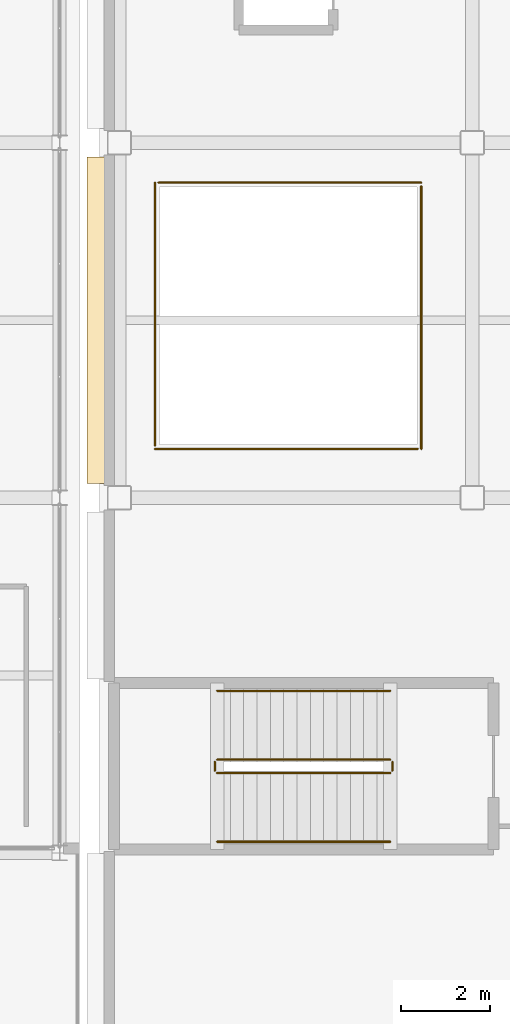
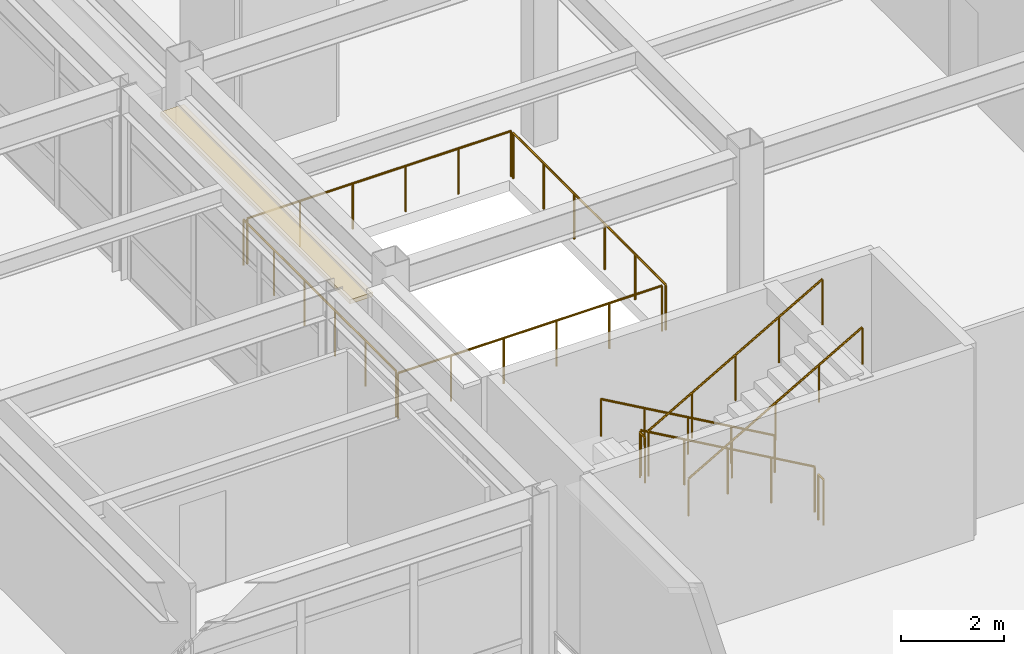
# One storey, part 141 of 154: 10 railings, 1 covering.
"""IFC4 building model written with IfcOpenShell, lengths in metres."""

from ifc_helpers import new_model, si_unit, direction, frame, origin, origin_2d, place, context, subcontext, project, spatial, rectangle, circle, extrude, material, layer, layer_set, type_object, element, save


model = new_model("IFC4")

# Units and contexts
model_context = context("Model", 3, precision=1e-05, world=origin(), true_north=direction((0.0, 1.0)))
body_context = subcontext(model_context, "Body", "Model", "MODEL_VIEW")
ifc_project = project(units=[si_unit("LENGTHUNIT", "METRE"), si_unit("AREAUNIT", "SQUARE_METRE"), si_unit("VOLUMEUNIT", "CUBIC_METRE"), si_unit("PLANEANGLEUNIT", "RADIAN"), si_unit("MASSUNIT", "GRAM", prefix="KILO")], contexts=[model_context])

# Site, building, storey
site_placement = place(None, origin())
site = spatial("IfcSite", under=ifc_project, at=site_placement, CompositionType="ELEMENT")
building_placement = place(site_placement, origin())
building = spatial("IfcBuilding", under=site, at=building_placement, Name="Kazehara Bluff Congress Hotel", CompositionType="ELEMENT")
storey_placement = place(building_placement, frame((0.0, 0.0, 10.199951171875)))
storey = spatial("IfcBuildingStorey", under=building, at=storey_placement, Name="L02", CompositionType="ELEMENT", Elevation=10.199951171875)

# Covering
ifc_material_1 = material(Name="Anodised aluminium architectural brise-soleil", Category="aluminium")
ifc_layer = layer(ifc_material_1, 0.10009765625)
ifc_layer_set = layer_set([ifc_layer], Name="Anodised aluminium architectural brise-soleil")
covering_type = type_object("IfcCoveringType", Name="TP-FAC-FIN", PredefinedType="CLADDING", material=ifc_layer_set)
covering_placement = place(storey_placement, frame((59.22998046875, 28.0, 3.715087890625), z_axis=(0.0, 0.0, 1.0), x_axis=(1.0, 0.0, 0.0)))
element("IfcCovering", 1, at=covering_placement, inside=storey, type_object=covering_type, Name="L02 V4 architectural sun-hood 100", PredefinedType="CLADDING", context=body_context, shape_type="SweptSolid", body=[
    extrude(rectangle(XDim=0.52001953125, YDim=7.35009765625, at=origin_2d()), origin(), (0.0, 0.0, 1.0), 0.10009765625),
])

# Railings
ifc_material_2 = material(Name="Brushed stainless steel", Category="steel")
railing_type_1 = type_object("IfcRailingType", Name="TP-GRD-INT", PredefinedType="GUARDRAIL", material=ifc_material_2)
railing_1_placement = place(storey_placement, frame((65.800048828125, 18.10009765625, 0.17138671875)))
element("IfcRailing", 2, at=railing_1_placement, inside=storey, type_object=railing_type_1, Name="L02 ST-08 stair guard 1", PredefinedType="GUARDRAIL", context=body_context, shape_type="SweptSolid", body=[
    extrude(circle(Radius=0.02392578125, at=origin_2d()), frame((0.0, 0.0, 1.076171875), z_axis=(-0.868233108195, 0.0, 0.496156497321), x_axis=(0.0, -1.0, 0.0)), (0.0, 0.0, 1.0), 4.491943359375),
    extrude(circle(Radius=0.02099609375, at=origin_2d()), origin(), (0.0, 0.0, 1.0), 1.052001953125),
    extrude(circle(Radius=0.02099609375, at=origin_2d()), frame((-0.97509765625, 0.0, 0.55712890625)), (0.0, 0.0, 1.0), 1.052001953125),
    extrude(circle(Radius=0.02099609375, at=origin_2d()), frame((-1.9501953125, 0.0, 1.1142578125)), (0.0, 0.0, 1.0), 1.052001953125),
    extrude(circle(Radius=0.02099609375, at=origin_2d()), frame((-2.925048828125, 0.0, 1.671630859375)), (0.0, 0.0, 1.0), 1.052001953125),
    extrude(circle(Radius=0.02099609375, at=origin_2d()), frame((-3.900146484375, 0.0, 2.228759765625)), (0.0, 0.0, 1.0), 1.052001953125),
])
railing_2_placement = place(storey_placement, frame((61.85009765625, 18.050048828125, 2.400146484375)))
element("IfcRailing", 3, at=railing_2_placement, inside=storey, type_object=railing_type_1, Name="L02 ST-08 stair guard 2", PredefinedType="GUARDRAIL", context=body_context, shape_type="SweptSolid", body=[
    extrude(circle(Radius=0.02392578125, at=origin_2d()), frame((0.0, 0.0, 1.076171875), z_axis=(0.0, -1.0, 0.0), x_axis=(1.0, 0.0, 0.0)), (0.0, 0.0, 1.0), 0.199951171875),
    extrude(circle(Radius=0.02099609375, at=origin_2d()), origin(), (0.0, 0.0, 1.0), 1.052001953125),
    extrude(circle(Radius=0.02099609375, at=origin_2d()), frame((0.0, -0.199951171875, 0.0)), (0.0, 0.0, 1.0), 1.052001953125),
])
railing_3_placement = place(storey_placement, frame((61.89990234375, 17.800048828125, 2.571533203125)))
element("IfcRailing", 4, at=railing_3_placement, inside=storey, type_object=railing_type_1, Name="L02 ST-08 stair guard 3", PredefinedType="GUARDRAIL", context=body_context, shape_type="SweptSolid", body=[
    extrude(circle(Radius=0.02392578125, at=origin_2d()), frame((0.0, 0.0, 1.076171875), z_axis=(0.868256520506, 0.0, 0.496115525457), x_axis=(0.0, 1.0, 0.0)), (0.0, 0.0, 1.0), 4.491943359375),
    extrude(circle(Radius=0.02099609375, at=origin_2d()), origin(), (0.0, 0.0, 1.0), 1.052001953125),
    extrude(circle(Radius=0.02099609375, at=origin_2d()), frame((0.97509765625, 0.0, 0.55712890625)), (0.0, 0.0, 1.0), 1.052001953125),
    extrude(circle(Radius=0.02099609375, at=origin_2d()), frame((1.9501953125, 0.0, 1.1142578125)), (0.0, 0.0, 1.0), 1.052001953125),
    extrude(circle(Radius=0.02099609375, at=origin_2d()), frame((2.925048828125, 0.0, 1.67138671875)), (0.0, 0.0, 1.0), 1.052001953125),
    extrude(circle(Radius=0.02099609375, at=origin_2d()), frame((3.900146484375, 0.0, 2.228515625)), (0.0, 0.0, 1.0), 1.052001953125),
])
railing_4_placement = place(storey_placement, frame((65.85009765625, 18.050048828125, 0.0)))
element("IfcRailing", 5, at=railing_4_placement, inside=storey, type_object=railing_type_1, Name="L02 ST-08 stair guard 4", PredefinedType="GUARDRAIL", context=body_context, shape_type="SweptSolid", body=[
    extrude(circle(Radius=0.02392578125, at=origin_2d()), frame((0.0, 0.0, 1.076171875), z_axis=(0.0, -1.0, 0.0), x_axis=(1.0, 0.0, 0.0)), (0.0, 0.0, 1.0), 0.199951171875),
    extrude(circle(Radius=0.02099609375, at=origin_2d()), origin(), (0.0, 0.0, 1.0), 1.052001953125),
    extrude(circle(Radius=0.02099609375, at=origin_2d()), frame((0.0, -0.199951171875, 0.0)), (0.0, 0.0, 1.0), 1.052001953125),
])
railing_5_placement = place(storey_placement, frame((60.5, 25.10009765625, 0.0)))
element("IfcRailing", 6, at=railing_5_placement, inside=storey, type_object=railing_type_1, Name="L02 V4-ATRM void guardrail S", PredefinedType="GUARDRAIL", context=body_context, shape_type="SweptSolid", body=[
    extrude(circle(Radius=0.02392578125, at=origin_2d()), frame((0.0, 0.0, 1.076171875), z_axis=(1.0, 0.0, 0.0), x_axis=(0.0, 1.0, 0.0)), (0.0, 0.0, 1.0), 5.919921875),
    extrude(circle(Radius=0.02099609375, at=origin_2d()), origin(), (0.0, 0.0, 1.0), 1.052001953125),
    extrude(circle(Radius=0.02099609375, at=origin_2d()), frame((1.18408203125, 0.0, 0.0)), (0.0, 0.0, 1.0), 1.052001953125),
    extrude(circle(Radius=0.02099609375, at=origin_2d()), frame((2.367919921875, 0.0, 0.0)), (0.0, 0.0, 1.0), 1.052001953125),
    extrude(circle(Radius=0.02099609375, at=origin_2d()), frame((3.552001953125, 0.0, 0.0)), (0.0, 0.0, 1.0), 1.052001953125),
    extrude(circle(Radius=0.02099609375, at=origin_2d()), frame((4.73583984375, 0.0, 0.0)), (0.0, 0.0, 1.0), 1.052001953125),
    extrude(circle(Radius=0.02099609375, at=origin_2d()), frame((5.919921875, 0.0, 0.0)), (0.0, 0.0, 1.0), 1.052001953125),
])
railing_6_placement = place(storey_placement, frame((66.5, 25.10009765625, 0.0)))
element("IfcRailing", 7, at=railing_6_placement, inside=storey, type_object=railing_type_1, Name="L02 V4-ATRM void guardrail E", PredefinedType="GUARDRAIL", context=body_context, shape_type="SweptSolid", body=[
    extrude(circle(Radius=0.02392578125, at=origin_2d()), frame((0.0, 0.0, 1.076171875), z_axis=(0.0, 1.0, 0.0), x_axis=(-1.0, 0.0, 0.0)), (0.0, 0.0, 1.0), 5.919921875),
    extrude(circle(Radius=0.02099609375, at=origin_2d()), origin(), (0.0, 0.0, 1.0), 1.052001953125),
    extrude(circle(Radius=0.02099609375, at=origin_2d()), frame((0.0, 1.18408203125, 0.0)), (0.0, 0.0, 1.0), 1.052001953125),
    extrude(circle(Radius=0.02099609375, at=origin_2d()), frame((0.0, 2.367919921875, 0.0)), (0.0, 0.0, 1.0), 1.052001953125),
    extrude(circle(Radius=0.02099609375, at=origin_2d()), frame((0.0, 3.552001953125, 0.0)), (0.0, 0.0, 1.0), 1.052001953125),
    extrude(circle(Radius=0.02099609375, at=origin_2d()), frame((0.0, 4.73583984375, 0.0)), (0.0, 0.0, 1.0), 1.052001953125),
    extrude(circle(Radius=0.02099609375, at=origin_2d()), frame((0.0, 5.919921875, 0.0)), (0.0, 0.0, 1.0), 1.052001953125),
])
railing_7_placement = place(storey_placement, frame((66.5, 31.10009765625, 0.0)))
element("IfcRailing", 8, at=railing_7_placement, inside=storey, type_object=railing_type_1, Name="L02 V4-ATRM void guardrail N", PredefinedType="GUARDRAIL", context=body_context, shape_type="SweptSolid", body=[
    extrude(circle(Radius=0.02392578125, at=origin_2d()), frame((0.0, 0.0, 1.076171875), z_axis=(-1.0, 0.0, 0.0), x_axis=(0.0, -1.0, 0.0)), (0.0, 0.0, 1.0), 5.919921875),
    extrude(circle(Radius=0.02099609375, at=origin_2d()), origin(), (0.0, 0.0, 1.0), 1.052001953125),
    extrude(circle(Radius=0.02099609375, at=origin_2d()), frame((-1.18408203125, 0.0, 0.0)), (0.0, 0.0, 1.0), 1.052001953125),
    extrude(circle(Radius=0.02099609375, at=origin_2d()), frame((-2.367919921875, 0.0, 0.0)), (0.0, 0.0, 1.0), 1.052001953125),
    extrude(circle(Radius=0.02099609375, at=origin_2d()), frame((-3.552001953125, 0.0, 0.0)), (0.0, 0.0, 1.0), 1.052001953125),
    extrude(circle(Radius=0.02099609375, at=origin_2d()), frame((-4.73583984375, 0.0, 0.0)), (0.0, 0.0, 1.0), 1.052001953125),
    extrude(circle(Radius=0.02099609375, at=origin_2d()), frame((-5.919921875, 0.0, 0.0)), (0.0, 0.0, 1.0), 1.052001953125),
])
railing_8_placement = place(storey_placement, frame((60.5, 31.10009765625, 0.0)))
element("IfcRailing", 9, at=railing_8_placement, inside=storey, type_object=railing_type_1, Name="L02 V4-ATRM void guardrail W", PredefinedType="GUARDRAIL", context=body_context, shape_type="SweptSolid", body=[
    extrude(circle(Radius=0.02392578125, at=origin_2d()), frame((0.0, 0.0, 1.076171875), z_axis=(0.0, -1.0, 0.0), x_axis=(1.0, 0.0, 0.0)), (0.0, 0.0, 1.0), 5.920166015625),
    extrude(circle(Radius=0.02099609375, at=origin_2d()), origin(), (0.0, 0.0, 1.0), 1.052001953125),
    extrude(circle(Radius=0.02099609375, at=origin_2d()), frame((0.0, -1.18408203125, 0.0)), (0.0, 0.0, 1.0), 1.052001953125),
    extrude(circle(Radius=0.02099609375, at=origin_2d()), frame((0.0, -2.3681640625, 0.0)), (0.0, 0.0, 1.0), 1.052001953125),
    extrude(circle(Radius=0.02099609375, at=origin_2d()), frame((0.0, -3.552001953125, 0.0)), (0.0, 0.0, 1.0), 1.052001953125),
    extrude(circle(Radius=0.02099609375, at=origin_2d()), frame((0.0, -4.736083984375, 0.0)), (0.0, 0.0, 1.0), 1.052001953125),
    extrude(circle(Radius=0.02099609375, at=origin_2d()), frame((0.0, -5.920166015625, 0.0)), (0.0, 0.0, 1.0), 1.052001953125),
])
ifc_material_3 = material(Name="Brushed stainless steel", Category="steel")
railing_type_2 = type_object("IfcRailingType", Name="TP-HR-INT", PredefinedType="HANDRAIL", material=ifc_material_3)
railing_9_placement = place(storey_placement, frame((65.800048828125, 19.64990234375, 0.17138671875)))
element("IfcRailing", 10, at=railing_9_placement, inside=storey, type_object=railing_type_2, Name="L02 ST-08 stair handrail 1", PredefinedType="HANDRAIL", context=body_context, shape_type="SweptSolid", body=[
    extrude(circle(Radius=0.02392578125, at=origin_2d()), frame((0.0, 0.0, 0.8759765625), z_axis=(-0.868233108195, 0.0, 0.496156497321), x_axis=(0.0, -1.0, 0.0)), (0.0, 0.0, 1.0), 4.491943359375),
    extrude(circle(Radius=0.02099609375, at=origin_2d()), origin(), (0.0, 0.0, 1.0), 0.851806640625),
    extrude(circle(Radius=0.02099609375, at=origin_2d()), frame((-0.97509765625, 0.0, 0.55712890625)), (0.0, 0.0, 1.0), 0.851806640625),
    extrude(circle(Radius=0.02099609375, at=origin_2d()), frame((-1.9501953125, 0.0, 1.1142578125)), (0.0, 0.0, 1.0), 0.851806640625),
    extrude(circle(Radius=0.02099609375, at=origin_2d()), frame((-2.925048828125, 0.0, 1.671630859375)), (0.0, 0.0, 1.0), 0.851806640625),
    extrude(circle(Radius=0.02099609375, at=origin_2d()), frame((-3.900146484375, 0.0, 2.228759765625)), (0.0, 0.0, 1.0), 0.851806640625),
])
railing_10_placement = place(storey_placement, frame((61.89990234375, 16.25, 2.571533203125)))
element("IfcRailing", 11, at=railing_10_placement, inside=storey, type_object=railing_type_2, Name="L02 ST-08 stair handrail 2", PredefinedType="HANDRAIL", context=body_context, shape_type="SweptSolid", body=[
    extrude(circle(Radius=0.02392578125, at=origin_2d()), frame((0.0, 0.0, 0.8759765625), z_axis=(0.868256520506, 0.0, 0.496115525457), x_axis=(0.0, 1.0, 0.0)), (0.0, 0.0, 1.0), 4.491943359375),
    extrude(circle(Radius=0.02099609375, at=origin_2d()), origin(), (0.0, 0.0, 1.0), 0.851806640625),
    extrude(circle(Radius=0.02099609375, at=origin_2d()), frame((0.97509765625, 0.0, 0.55712890625)), (0.0, 0.0, 1.0), 0.851806640625),
    extrude(circle(Radius=0.02099609375, at=origin_2d()), frame((1.9501953125, 0.0, 1.1142578125)), (0.0, 0.0, 1.0), 0.851806640625),
    extrude(circle(Radius=0.02099609375, at=origin_2d()), frame((2.925048828125, 0.0, 1.67138671875)), (0.0, 0.0, 1.0), 0.851806640625),
    extrude(circle(Radius=0.02099609375, at=origin_2d()), frame((3.900146484375, 0.0, 2.228515625)), (0.0, 0.0, 1.0), 0.851806640625),
])

save(model, "model.ifc")
